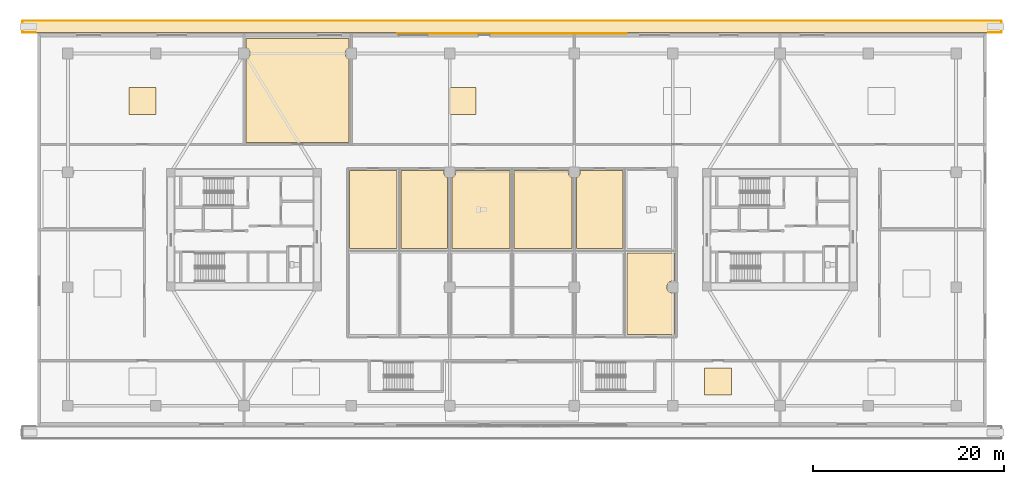
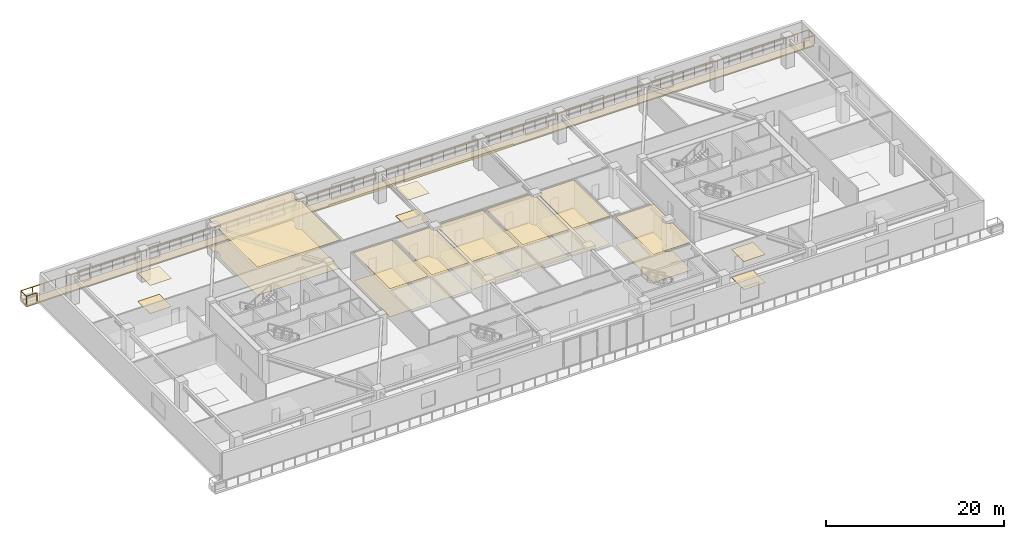
# One storey, part 17 of 22: 22 coverings, 2 railings.
"""IFC4 building model written with IfcOpenShell, lengths in metres."""

from ifc_helpers import new_model, si_unit, direction, frame, origin, origin_2d, place, context, subcontext, project, spatial, polyline, rectangle, outline, extrude, source, transform, mapped, material, layer, layer_set, type_object, type_shapes, element, save


model = new_model("IFC4")

# Units and contexts
model_context = context("Model", 3, precision=1e-05, world=origin(), true_north=direction((0.0, 1.0)))
body_context = subcontext(model_context, "Body", "Model", "MODEL_VIEW")
ifc_project = project(units=[si_unit("LENGTHUNIT", "METRE"), si_unit("AREAUNIT", "SQUARE_METRE"), si_unit("VOLUMEUNIT", "CUBIC_METRE"), si_unit("PLANEANGLEUNIT", "RADIAN"), si_unit("MASSUNIT", "GRAM", prefix="KILO")], contexts=[model_context])

# Site, building, storey
site_placement = place(None, origin())
site = spatial("IfcSite", under=ifc_project, at=site_placement, CompositionType="ELEMENT")
building_placement = place(site_placement, origin())
building = spatial("IfcBuilding", under=site, at=building_placement, Name="Norrkilde Senior Care Towers", CompositionType="ELEMENT")
storey_placement = place(building_placement, frame((0.0, 0.0, 12.60009765625)))
storey = spatial("IfcBuildingStorey", under=building, at=storey_placement, Name="L03", CompositionType="ELEMENT", Elevation=12.60009765625)

# Coverings
ifc_material_1 = material(Name="Nordic Ash Timber", Category="wood")
ifc_layer_1 = layer(ifc_material_1, 0.044921875)
ifc_layer_set_1 = layer_set([ifc_layer_1], Name="Nordic Ash Timber")
covering_type_1 = type_object("IfcCoveringType", Name="Acoustic Ash Timber Slatted Ceiling 45", PredefinedType="CEILING", material=ifc_layer_set_1)
covering_1_placement = place(storey_placement, frame((0.0, 0.0, 3.8349609375)))
element("IfcCovering", 1, at=covering_1_placement, inside=storey, type_object=covering_type_1, Name="L03 Suspended Ceiling 0075", PredefinedType="CEILING", context=body_context, shape_type="SweptSolid", body=[
    extrude(outline(polyline([(-12.02001953125, 6.179931640625), (-12.02001953125, -1.97998046875), (-16.97998046875, -1.97998046875), (-16.97998046875, 6.179931640625), (-12.02001953125, 6.179931640625)])), origin(), (0.0, 0.0, 1.0), 0.044921875),
])
covering_2_placement = place(storey_placement, frame((0.0, 0.0, 3.8349609375)))
element("IfcCovering", 2, at=covering_2_placement, inside=storey, type_object=covering_type_1, Name="L03 Suspended Ceiling 0083", PredefinedType="CEILING", context=body_context, shape_type="SweptSolid", body=[
    extrude(outline(polyline([(11.580078125, -1.97998046875), (6.719970703125, -1.97998046875), (6.719970703125, 5.4150390625), (6.81494140625, 5.454345703125), (6.945556640625, 5.554443359375), (7.045654296875, 5.68505859375), (7.108642578125, 5.8369140625), (7.1298828125, 6.0), (7.108642578125, 6.1630859375), (7.1015625, 6.179931640625), (11.580078125, 6.179931640625), (11.580078125, -1.97998046875)])), origin(), (0.0, 0.0, 1.0), 0.044921875),
])
covering_3_placement = place(storey_placement, frame((0.0, 0.0, 3.8349609375)))
element("IfcCovering", 3, at=covering_3_placement, inside=storey, type_object=covering_type_1, Name="L03 Suspended Ceiling 0084", PredefinedType="CEILING", context=body_context, shape_type="SweptSolid", body=[
    extrude(outline(polyline([(16.97998046875, -5.3984375), (16.963134765625, -5.391357421875), (16.800048828125, -5.3701171875), (16.636962890625, -5.391357421875), (16.485107421875, -5.454345703125), (16.3544921875, -5.554443359375), (16.25439453125, -5.68505859375), (16.19140625, -5.8369140625), (16.169921875, -6.0), (16.19140625, -6.1630859375), (16.25439453125, -6.31494140625), (16.3544921875, -6.445556640625), (16.485107421875, -6.545654296875), (16.636962890625, -6.608642578125), (16.800048828125, -6.6298828125), (16.963134765625, -6.608642578125), (16.97998046875, -6.6015625), (16.97998046875, -10.97998046875), (12.02001953125, -10.97998046875), (12.02001953125, -2.419921875), (16.97998046875, -2.419921875), (16.97998046875, -5.3984375)])), origin(), (0.0, 0.0, 1.0), 0.044921875),
])
covering_4_placement = place(storey_placement, frame((0.0, 0.0, 3.8349609375)))
element("IfcCovering", 4, at=covering_4_placement, inside=storey, type_object=covering_type_1, Name="L03 Suspended Ceiling 0087", PredefinedType="CEILING", context=body_context, shape_type="SweptSolid", body=[
    extrude(outline(polyline([(-27.780029296875, 9.1201171875), (-27.780029296875, 17.81494140625), (-27.68505859375, 17.8544921875), (-27.554443359375, 17.95458984375), (-27.454345703125, 18.0849609375), (-27.391357421875, 18.237060546875), (-27.3701171875, 18.39990234375), (-27.391357421875, 18.56298828125), (-27.454345703125, 18.715087890625), (-27.554443359375, 18.845458984375), (-27.68505859375, 18.945556640625), (-27.780029296875, 18.98486328125), (-27.780029296875, 19.97998046875), (-17.02001953125, 19.97998046875), (-17.02001953125, 18.98486328125), (-17.114990234375, 18.945556640625), (-17.245361328125, 18.845458984375), (-17.345703125, 18.715087890625), (-17.408447265625, 18.56298828125), (-17.429931640625, 18.39990234375), (-17.408447265625, 18.237060546875), (-17.345703125, 18.0849609375), (-17.245361328125, 17.95458984375), (-17.114990234375, 17.8544921875), (-17.02001953125, 17.81494140625), (-17.02001953125, 9.1201171875), (-27.780029296875, 9.1201171875)])), origin(), (0.0, 0.0, 1.0), 0.044921875),
])
covering_5_placement = place(storey_placement, frame((0.0, 0.0, 3.8349609375)))
element("IfcCovering", 5, at=covering_5_placement, inside=storey, type_object=covering_type_1, Name="L03 Suspended Ceiling 0088", PredefinedType="CEILING", context=body_context, shape_type="SweptSolid", body=[
    extrude(outline(polyline([(-6.550048828125, 12.044921875), (-6.550048828125, 14.844970703125), (-3.75, 14.844970703125), (-3.75, 12.044921875), (-6.550048828125, 12.044921875)])), origin(), (0.0, 0.0, 1.0), 0.044921875),
])
covering_6_placement = place(storey_placement, frame((0.0, 0.0, 3.8349609375)))
element("IfcCovering", 6, at=covering_6_placement, inside=storey, type_object=covering_type_1, Name="L03 Suspended Ceiling 0094", PredefinedType="CEILING", context=body_context, shape_type="SweptSolid", body=[
    extrude(outline(polyline([(20.125, -17.2548828125), (20.125, -14.455078125), (22.925048828125, -14.455078125), (22.925048828125, -17.2548828125), (20.125, -17.2548828125)])), origin(), (0.0, 0.0, 1.0), 0.044921875),
])

# Railings
ifc_material_2 = material(Name="Anodised Aluminium", Category="aluminium")
railing_type = type_object("IfcRailingType", Name="Balcony Swirl Ribbon Guardrail 1150", PredefinedType="GUARDRAIL", material=ifc_material_2)
railing_1_placement = place(storey_placement, frame((-51.1201171875, 20.5849609375, 0.0)))
element("IfcRailing", 7, at=railing_1_placement, inside=storey, type_object=railing_type, Name="L03 Perimeter Safety Guard 03", PredefinedType="GUARDRAIL", context=body_context, shape_type="SweptSolid", body=[
    extrude(rectangle(XDim=0.048095703125, YDim=0.048095703125, at=origin_2d()), frame((0.0, 0.0, 1.1259765625), z_axis=(0.0, 1.0, 0.0), x_axis=(-1.0, 0.0, 0.0)), (0.0, 0.0, 1.0), 1.1943359375),
    extrude(rectangle(XDim=0.048095703125, YDim=0.048095703125, at=origin_2d()), frame((0.040771484375, 1.235107421875, 1.1259765625), z_axis=(1.0, 0.0, 0.0), x_axis=(0.0, 1.0, 0.0)), (0.0, 0.0, 1.0), 102.158447265625),
    extrude(rectangle(XDim=0.048095703125, YDim=0.048095703125, at=origin_2d()), frame((102.240234375, 1.1943359375, 1.1259765625), z_axis=(0.0, -1.0, 0.0), x_axis=(1.0, 0.0, 0.0)), (0.0, 0.0, 1.0), 1.1533203125),
    extrude(rectangle(XDim=0.048095703125, YDim=0.048095703125, at=origin_2d()), frame((102.199462890625, 0.0, 1.1259765625), z_axis=(-1.0, 0.0, 0.0), x_axis=(0.0, -1.0, 0.0)), (0.0, 0.0, 1.0), 1.32080078125),
    extrude(rectangle(XDim=0.0419921875, YDim=0.0419921875, at=origin_2d()), origin(), (0.0, 0.0, 1.0), 1.099853515625),
    extrude(rectangle(XDim=0.0419921875, YDim=0.0419921875, at=origin_2d()), frame((0.0, 1.235107421875, 0.0)), (0.0, 0.0, 1.0), 1.099853515625),
    extrude(rectangle(XDim=0.0419921875, YDim=0.0419921875, at=origin_2d()), frame((1.481689453125, 1.235107421875, 0.0)), (0.0, 0.0, 1.0), 1.099853515625),
    extrude(rectangle(XDim=0.0419921875, YDim=0.0419921875, at=origin_2d()), frame((2.96337890625, 1.235107421875, 0.0)), (0.0, 0.0, 1.0), 1.099853515625),
    extrude(rectangle(XDim=0.0419921875, YDim=0.0419921875, at=origin_2d()), frame((4.4453125, 1.235107421875, 0.0)), (0.0, 0.0, 1.0), 1.099853515625),
    extrude(rectangle(XDim=0.0419921875, YDim=0.0419921875, at=origin_2d()), frame((5.927001953125, 1.235107421875, 0.0)), (0.0, 0.0, 1.0), 1.099853515625),
    extrude(rectangle(XDim=0.0419921875, YDim=0.0419921875, at=origin_2d()), frame((7.40869140625, 1.235107421875, 0.0)), (0.0, 0.0, 1.0), 1.099853515625),
    extrude(rectangle(XDim=0.0419921875, YDim=0.0419921875, at=origin_2d()), frame((8.890380859375, 1.235107421875, 0.0)), (0.0, 0.0, 1.0), 1.099853515625),
    extrude(rectangle(XDim=0.0419921875, YDim=0.0419921875, at=origin_2d()), frame((10.372314453125, 1.235107421875, 0.0)), (0.0, 0.0, 1.0), 1.099853515625),
    extrude(rectangle(XDim=0.0419921875, YDim=0.0419921875, at=origin_2d()), frame((11.85400390625, 1.235107421875, 0.0)), (0.0, 0.0, 1.0), 1.099853515625),
    extrude(rectangle(XDim=0.0419921875, YDim=0.0419921875, at=origin_2d()), frame((13.335693359375, 1.235107421875, 0.0)), (0.0, 0.0, 1.0), 1.099853515625),
    extrude(rectangle(XDim=0.0419921875, YDim=0.0419921875, at=origin_2d()), frame((14.8173828125, 1.235107421875, 0.0)), (0.0, 0.0, 1.0), 1.099853515625),
    extrude(rectangle(XDim=0.0419921875, YDim=0.0419921875, at=origin_2d()), frame((16.299072265625, 1.235107421875, 0.0)), (0.0, 0.0, 1.0), 1.099853515625),
    extrude(rectangle(XDim=0.0419921875, YDim=0.0419921875, at=origin_2d()), frame((17.781005859375, 1.235107421875, 0.0)), (0.0, 0.0, 1.0), 1.099853515625),
    extrude(rectangle(XDim=0.0419921875, YDim=0.0419921875, at=origin_2d()), frame((19.2626953125, 1.235107421875, 0.0)), (0.0, 0.0, 1.0), 1.099853515625),
    extrude(rectangle(XDim=0.0419921875, YDim=0.0419921875, at=origin_2d()), frame((20.744384765625, 1.235107421875, 0.0)), (0.0, 0.0, 1.0), 1.099853515625),
    extrude(rectangle(XDim=0.0419921875, YDim=0.0419921875, at=origin_2d()), frame((22.22607421875, 1.235107421875, 0.0)), (0.0, 0.0, 1.0), 1.099853515625),
    extrude(rectangle(XDim=0.0419921875, YDim=0.0419921875, at=origin_2d()), frame((23.707763671875, 1.235107421875, 0.0)), (0.0, 0.0, 1.0), 1.099853515625),
    extrude(rectangle(XDim=0.0419921875, YDim=0.0419921875, at=origin_2d()), frame((25.189697265625, 1.235107421875, 0.0)), (0.0, 0.0, 1.0), 1.099853515625),
    extrude(rectangle(XDim=0.0419921875, YDim=0.0419921875, at=origin_2d()), frame((26.67138671875, 1.235107421875, 0.0)), (0.0, 0.0, 1.0), 1.099853515625),
    extrude(rectangle(XDim=0.0419921875, YDim=0.0419921875, at=origin_2d()), frame((28.153076171875, 1.235107421875, 0.0)), (0.0, 0.0, 1.0), 1.099853515625),
    extrude(rectangle(XDim=0.0419921875, YDim=0.0419921875, at=origin_2d()), frame((29.634765625, 1.235107421875, 0.0)), (0.0, 0.0, 1.0), 1.099853515625),
    extrude(rectangle(XDim=0.0419921875, YDim=0.0419921875, at=origin_2d()), frame((31.11669921875, 1.235107421875, 0.0)), (0.0, 0.0, 1.0), 1.099853515625),
    extrude(rectangle(XDim=0.0419921875, YDim=0.0419921875, at=origin_2d()), frame((32.598388671875, 1.235107421875, 0.0)), (0.0, 0.0, 1.0), 1.099853515625),
    extrude(rectangle(XDim=0.0419921875, YDim=0.0419921875, at=origin_2d()), frame((34.080078125, 1.235107421875, 0.0)), (0.0, 0.0, 1.0), 1.099853515625),
    extrude(rectangle(XDim=0.0419921875, YDim=0.0419921875, at=origin_2d()), frame((35.561767578125, 1.235107421875, 0.0)), (0.0, 0.0, 1.0), 1.099853515625),
    extrude(rectangle(XDim=0.0419921875, YDim=0.0419921875, at=origin_2d()), frame((37.04345703125, 1.235107421875, 0.0)), (0.0, 0.0, 1.0), 1.099853515625),
    extrude(rectangle(XDim=0.0419921875, YDim=0.0419921875, at=origin_2d()), frame((38.525390625, 1.235107421875, 0.0)), (0.0, 0.0, 1.0), 1.099853515625),
    extrude(rectangle(XDim=0.0419921875, YDim=0.0419921875, at=origin_2d()), frame((40.007080078125, 1.235107421875, 0.0)), (0.0, 0.0, 1.0), 1.099853515625),
    extrude(rectangle(XDim=0.0419921875, YDim=0.0419921875, at=origin_2d()), frame((41.48876953125, 1.235107421875, 0.0)), (0.0, 0.0, 1.0), 1.099853515625),
    extrude(rectangle(XDim=0.0419921875, YDim=0.0419921875, at=origin_2d()), frame((42.970458984375, 1.235107421875, 0.0)), (0.0, 0.0, 1.0), 1.099853515625),
    extrude(rectangle(XDim=0.0419921875, YDim=0.0419921875, at=origin_2d()), frame((44.452392578125, 1.235107421875, 0.0)), (0.0, 0.0, 1.0), 1.099853515625),
    extrude(rectangle(XDim=0.0419921875, YDim=0.0419921875, at=origin_2d()), frame((45.93408203125, 1.235107421875, 0.0)), (0.0, 0.0, 1.0), 1.099853515625),
    extrude(rectangle(XDim=0.0419921875, YDim=0.0419921875, at=origin_2d()), frame((47.415771484375, 1.235107421875, 0.0)), (0.0, 0.0, 1.0), 1.099853515625),
    extrude(rectangle(XDim=0.0419921875, YDim=0.0419921875, at=origin_2d()), frame((48.8974609375, 1.235107421875, 0.0)), (0.0, 0.0, 1.0), 1.099853515625),
    extrude(rectangle(XDim=0.0419921875, YDim=0.0419921875, at=origin_2d()), frame((50.379150390625, 1.235107421875, 0.0)), (0.0, 0.0, 1.0), 1.099853515625),
    extrude(rectangle(XDim=0.0419921875, YDim=0.0419921875, at=origin_2d()), frame((51.861083984375, 1.235107421875, 0.0)), (0.0, 0.0, 1.0), 1.099853515625),
    extrude(rectangle(XDim=0.0419921875, YDim=0.0419921875, at=origin_2d()), frame((53.3427734375, 1.235107421875, 0.0)), (0.0, 0.0, 1.0), 1.099853515625),
    extrude(rectangle(XDim=0.0419921875, YDim=0.0419921875, at=origin_2d()), frame((54.824462890625, 1.235107421875, 0.0)), (0.0, 0.0, 1.0), 1.099853515625),
    extrude(rectangle(XDim=0.0419921875, YDim=0.0419921875, at=origin_2d()), frame((56.30615234375, 1.235107421875, 0.0)), (0.0, 0.0, 1.0), 1.099853515625),
    extrude(rectangle(XDim=0.0419921875, YDim=0.0419921875, at=origin_2d()), frame((57.787841796875, 1.235107421875, 0.0)), (0.0, 0.0, 1.0), 1.099853515625),
    extrude(rectangle(XDim=0.0419921875, YDim=0.0419921875, at=origin_2d()), frame((59.269775390625, 1.235107421875, 0.0)), (0.0, 0.0, 1.0), 1.099853515625),
    extrude(rectangle(XDim=0.0419921875, YDim=0.0419921875, at=origin_2d()), frame((60.75146484375, 1.235107421875, 0.0)), (0.0, 0.0, 1.0), 1.099853515625),
    extrude(rectangle(XDim=0.0419921875, YDim=0.0419921875, at=origin_2d()), frame((62.233154296875, 1.235107421875, 0.0)), (0.0, 0.0, 1.0), 1.099853515625),
    extrude(rectangle(XDim=0.0419921875, YDim=0.0419921875, at=origin_2d()), frame((63.71484375, 1.235107421875, 0.0)), (0.0, 0.0, 1.0), 1.099853515625),
    extrude(rectangle(XDim=0.0419921875, YDim=0.0419921875, at=origin_2d()), frame((65.19677734375, 1.235107421875, 0.0)), (0.0, 0.0, 1.0), 1.099853515625),
    extrude(rectangle(XDim=0.0419921875, YDim=0.0419921875, at=origin_2d()), frame((66.678466796875, 1.235107421875, 0.0)), (0.0, 0.0, 1.0), 1.099853515625),
    extrude(rectangle(XDim=0.0419921875, YDim=0.0419921875, at=origin_2d()), frame((68.16015625, 1.235107421875, 0.0)), (0.0, 0.0, 1.0), 1.099853515625),
    extrude(rectangle(XDim=0.0419921875, YDim=0.0419921875, at=origin_2d()), frame((69.641845703125, 1.235107421875, 0.0)), (0.0, 0.0, 1.0), 1.099853515625),
    extrude(rectangle(XDim=0.0419921875, YDim=0.0419921875, at=origin_2d()), frame((71.12353515625, 1.235107421875, 0.0)), (0.0, 0.0, 1.0), 1.099853515625),
    extrude(rectangle(XDim=0.0419921875, YDim=0.0419921875, at=origin_2d()), frame((72.60546875, 1.235107421875, 0.0)), (0.0, 0.0, 1.0), 1.099853515625),
    extrude(rectangle(XDim=0.0419921875, YDim=0.0419921875, at=origin_2d()), frame((74.087158203125, 1.235107421875, 0.0)), (0.0, 0.0, 1.0), 1.099853515625),
    extrude(rectangle(XDim=0.0419921875, YDim=0.0419921875, at=origin_2d()), frame((75.56884765625, 1.235107421875, 0.0)), (0.0, 0.0, 1.0), 1.099853515625),
    extrude(rectangle(XDim=0.0419921875, YDim=0.0419921875, at=origin_2d()), frame((77.050537109375, 1.235107421875, 0.0)), (0.0, 0.0, 1.0), 1.099853515625),
    extrude(rectangle(XDim=0.0419921875, YDim=0.0419921875, at=origin_2d()), frame((78.532470703125, 1.235107421875, 0.0)), (0.0, 0.0, 1.0), 1.099853515625),
    extrude(rectangle(XDim=0.0419921875, YDim=0.0419921875, at=origin_2d()), frame((80.01416015625, 1.235107421875, 0.0)), (0.0, 0.0, 1.0), 1.099853515625),
    extrude(rectangle(XDim=0.0419921875, YDim=0.0419921875, at=origin_2d()), frame((81.495849609375, 1.235107421875, 0.0)), (0.0, 0.0, 1.0), 1.099853515625),
    extrude(rectangle(XDim=0.0419921875, YDim=0.0419921875, at=origin_2d()), frame((82.9775390625, 1.235107421875, 0.0)), (0.0, 0.0, 1.0), 1.099853515625),
    extrude(rectangle(XDim=0.0419921875, YDim=0.0419921875, at=origin_2d()), frame((84.459228515625, 1.235107421875, 0.0)), (0.0, 0.0, 1.0), 1.099853515625),
    extrude(rectangle(XDim=0.0419921875, YDim=0.0419921875, at=origin_2d()), frame((85.941162109375, 1.235107421875, 0.0)), (0.0, 0.0, 1.0), 1.099853515625),
    extrude(rectangle(XDim=0.0419921875, YDim=0.0419921875, at=origin_2d()), frame((87.4228515625, 1.235107421875, 0.0)), (0.0, 0.0, 1.0), 1.099853515625),
    extrude(rectangle(XDim=0.0419921875, YDim=0.0419921875, at=origin_2d()), frame((88.904541015625, 1.235107421875, 0.0)), (0.0, 0.0, 1.0), 1.099853515625),
    extrude(rectangle(XDim=0.0419921875, YDim=0.0419921875, at=origin_2d()), frame((90.38623046875, 1.235107421875, 0.0)), (0.0, 0.0, 1.0), 1.099853515625),
    extrude(rectangle(XDim=0.0419921875, YDim=0.0419921875, at=origin_2d()), frame((91.867919921875, 1.235107421875, 0.0)), (0.0, 0.0, 1.0), 1.099853515625),
    extrude(rectangle(XDim=0.0419921875, YDim=0.0419921875, at=origin_2d()), frame((93.349853515625, 1.235107421875, 0.0)), (0.0, 0.0, 1.0), 1.099853515625),
    extrude(rectangle(XDim=0.0419921875, YDim=0.0419921875, at=origin_2d()), frame((94.83154296875, 1.235107421875, 0.0)), (0.0, 0.0, 1.0), 1.099853515625),
    extrude(rectangle(XDim=0.0419921875, YDim=0.0419921875, at=origin_2d()), frame((96.313232421875, 1.235107421875, 0.0)), (0.0, 0.0, 1.0), 1.099853515625),
    extrude(rectangle(XDim=0.0419921875, YDim=0.0419921875, at=origin_2d()), frame((97.794921875, 1.235107421875, 0.0)), (0.0, 0.0, 1.0), 1.099853515625),
    extrude(rectangle(XDim=0.0419921875, YDim=0.0419921875, at=origin_2d()), frame((99.27685546875, 1.235107421875, 0.0)), (0.0, 0.0, 1.0), 1.099853515625),
    extrude(rectangle(XDim=0.0419921875, YDim=0.0419921875, at=origin_2d()), frame((100.758544921875, 1.235107421875, 0.0)), (0.0, 0.0, 1.0), 1.099853515625),
    extrude(rectangle(XDim=0.0419921875, YDim=0.0419921875, at=origin_2d()), frame((102.240234375, 1.235107421875, 0.0)), (0.0, 0.0, 1.0), 1.099853515625),
    extrude(rectangle(XDim=0.0419921875, YDim=0.0419921875, at=origin_2d()), frame((102.240234375, 0.0, 0.0)), (0.0, 0.0, 1.0), 1.099853515625),
    extrude(rectangle(XDim=0.0419921875, YDim=0.0419921875, at=origin_2d()), frame((100.878662109375, 0.0, 0.0)), (0.0, 0.0, 1.0), 1.099853515625),
])
railing_2_placement = place(storey_placement, frame((-49.758544921875, 20.5849609375, 0.0)))
element("IfcRailing", 8, at=railing_2_placement, inside=storey, type_object=railing_type, Name="L03 Perimeter Safety Guard 04", PredefinedType="GUARDRAIL", context=body_context, shape_type="SweptSolid", body=[
    extrude(rectangle(XDim=0.048095703125, YDim=0.048095703125, at=origin_2d()), frame((0.0, 0.0, 1.1259765625), z_axis=(-1.0, 0.0, 0.0), x_axis=(0.0, -1.0, 0.0)), (0.0, 0.0, 1.0), 1.361572265625),
    extrude(rectangle(XDim=0.0419921875, YDim=0.0419921875, at=origin_2d()), origin(), (0.0, 0.0, 1.0), 1.099853515625),
    extrude(rectangle(XDim=0.0419921875, YDim=0.0419921875, at=origin_2d()), frame((-1.361572265625, 0.0, 0.0)), (0.0, 0.0, 1.0), 1.099853515625),
])

# Coverings
ifc_material_3 = material(Name="EPDM Waterproofing and PIR Insulation")
ifc_layer_2 = layer(ifc_material_3, 0.159912109375)
ifc_layer_set_2 = layer_set([ifc_layer_2], Name="EPDM Waterproofing and PIR Insulation")
covering_type_2 = type_object("IfcCoveringType", Name="Insulated EPDM Roof Membrane 160", PredefinedType="ROOFING", material=ifc_layer_set_2)
covering_7_placement = place(storey_placement, frame((0.0, 0.0, -0.39013671875)))
element("IfcCovering", 9, at=covering_7_placement, inside=storey, type_object=covering_type_2, Name="L03 N Terrace Waterproof Membrane", PredefinedType="ROOFING", context=body_context, shape_type="SweptSolid", body=[
    extrude(outline(polyline([(-51.10009765625, 20.60498046875), (51.10009765625, 20.60498046875), (51.10009765625, 21.800048828125), (-51.10009765625, 21.800048828125), (-51.10009765625, 20.60498046875)])), origin(), (0.0, 0.0, 1.0), 0.16015625),
])
ifc_material_4 = material(Name="Gypsum Acoustic Board")
ifc_layer_3 = layer(ifc_material_4, 0.030029296875)
ifc_layer_set_3 = layer_set([ifc_layer_3], Name="Gypsum Acoustic Board")
covering_type_3 = type_object("IfcCoveringType", Name="Medical Cleanable Gypsum Ceiling 30", PredefinedType="CEILING", material=ifc_layer_set_3)
covering_8_placement = place(storey_placement, frame((0.0, 0.0, 3.849853515625)))
element("IfcCovering", 10, at=covering_8_placement, inside=storey, type_object=covering_type_3, Name="L03 Suspended Ceiling 0077", PredefinedType="CEILING", context=body_context, shape_type="SweptSolid", body=[
    extrude(outline(polyline([(-6.719970703125, -1.97998046875), (-11.580078125, -1.97998046875), (-11.580078125, 6.179931640625), (-7.1015625, 6.179931640625), (-7.108642578125, 6.1630859375), (-7.1298828125, 6.0), (-7.108642578125, 5.8369140625), (-7.045654296875, 5.68505859375), (-6.945556640625, 5.554443359375), (-6.81494140625, 5.454345703125), (-6.719970703125, 5.4150390625), (-6.719970703125, -1.97998046875)])), origin(), (0.0, 0.0, 1.0), 0.030029296875),
])
covering_9_placement = place(storey_placement, frame((0.0, 0.0, 3.849853515625)))
element("IfcCovering", 11, at=covering_9_placement, inside=storey, type_object=covering_type_3, Name="L03 Suspended Ceiling 0079", PredefinedType="CEILING", context=body_context, shape_type="SweptSolid", body=[
    extrude(outline(polyline([(-0.219970703125, -1.97998046875), (-6.280029296875, -1.97998046875), (-6.280029296875, 5.4150390625), (-6.18505859375, 5.454345703125), (-6.054443359375, 5.554443359375), (-5.954345703125, 5.68505859375), (-5.891357421875, 5.8369140625), (-5.8701171875, 6.0), (-5.891357421875, 6.1630859375), (-5.8984375, 6.179931640625), (-0.219970703125, 6.179931640625), (-0.219970703125, -1.97998046875)])), origin(), (0.0, 0.0, 1.0), 0.030029296875),
])
covering_10_placement = place(storey_placement, frame((0.0, 0.0, 3.849853515625)))
element("IfcCovering", 12, at=covering_10_placement, inside=storey, type_object=covering_type_3, Name="L03 Suspended Ceiling 0081", PredefinedType="CEILING", context=body_context, shape_type="SweptSolid", body=[
    extrude(outline(polyline([(6.280029296875, -1.97998046875), (0.219970703125, -1.97998046875), (0.219970703125, 6.179931640625), (5.8984375, 6.179931640625), (5.891357421875, 6.1630859375), (5.8701171875, 6.0), (5.891357421875, 5.8369140625), (5.954345703125, 5.68505859375), (6.054443359375, 5.554443359375), (6.18505859375, 5.454345703125), (6.280029296875, 5.4150390625), (6.280029296875, -1.97998046875)])), origin(), (0.0, 0.0, 1.0), 0.030029296875),
])
covering_11_placement = place(storey_placement, frame((0.0, 0.0, 3.849853515625)))
element("IfcCovering", 13, at=covering_11_placement, inside=storey, type_object=covering_type_3, Name="L03 Suspended Ceiling 0086", PredefinedType="CEILING", context=body_context, shape_type="SweptSolid", body=[
    extrude(outline(polyline([(-40.0, 12.044921875), (-40.0, 14.844970703125), (-37.199951171875, 14.844970703125), (-37.199951171875, 12.044921875), (-40.0, 12.044921875)])), origin(), (0.0, 0.0, 1.0), 0.030029296875),
])
ifc_material_5 = material(Name="Slip-Resistant Porcelain Stone", Category="masonry")
ifc_layer_4 = layer(ifc_material_5, 0.02490234375)
ifc_layer_set_4 = layer_set([ifc_layer_4], Name="Slip-Resistant Porcelain Stone")
covering_type_4 = type_object("IfcCoveringType", Name="Slip-Resistant Porcelain Flooring 25", PredefinedType="FLOORING", material=ifc_layer_set_4)
covering_12_placement = place(storey_placement, origin())
element("IfcCovering", 14, at=covering_12_placement, inside=storey, type_object=covering_type_4, Name="L03 Floor Finish 0075", PredefinedType="FLOORING", context=body_context, shape_type="SweptSolid", body=[
    extrude(outline(polyline([(-12.02001953125, 6.179931640625), (-12.02001953125, -1.97998046875), (-16.97998046875, -1.97998046875), (-16.97998046875, 6.179931640625), (-12.02001953125, 6.179931640625)])), origin(), (0.0, 0.0, 1.0), 0.02490234375),
])
covering_13_placement = place(storey_placement, origin())
element("IfcCovering", 15, at=covering_13_placement, inside=storey, type_object=covering_type_4, Name="L03 Floor Finish 0077", PredefinedType="FLOORING", context=body_context, shape_type="SweptSolid", body=[
    extrude(outline(polyline([(-6.719970703125, -1.97998046875), (-11.580078125, -1.97998046875), (-11.580078125, 6.179931640625), (-7.1015625, 6.179931640625), (-7.108642578125, 6.1630859375), (-7.1298828125, 6.0), (-7.108642578125, 5.8369140625), (-7.045654296875, 5.68505859375), (-6.945556640625, 5.554443359375), (-6.81494140625, 5.454345703125), (-6.719970703125, 5.4150390625), (-6.719970703125, -1.97998046875)])), origin(), (0.0, 0.0, 1.0), 0.02490234375),
])
covering_14_placement = place(storey_placement, origin())
element("IfcCovering", 16, at=covering_14_placement, inside=storey, type_object=covering_type_4, Name="L03 Floor Finish 0079", PredefinedType="FLOORING", context=body_context, shape_type="SweptSolid", body=[
    extrude(outline(polyline([(-0.219970703125, -1.97998046875), (-6.280029296875, -1.97998046875), (-6.280029296875, 5.4150390625), (-6.18505859375, 5.454345703125), (-6.054443359375, 5.554443359375), (-5.954345703125, 5.68505859375), (-5.891357421875, 5.8369140625), (-5.8701171875, 6.0), (-5.891357421875, 6.1630859375), (-5.8984375, 6.179931640625), (-0.219970703125, 6.179931640625), (-0.219970703125, -1.97998046875)])), origin(), (0.0, 0.0, 1.0), 0.02490234375),
])
covering_15_placement = place(storey_placement, origin())
element("IfcCovering", 17, at=covering_15_placement, inside=storey, type_object=covering_type_4, Name="L03 Floor Finish 0081", PredefinedType="FLOORING", context=body_context, shape_type="SweptSolid", body=[
    extrude(outline(polyline([(6.280029296875, -1.97998046875), (0.219970703125, -1.97998046875), (0.219970703125, 6.179931640625), (5.8984375, 6.179931640625), (5.891357421875, 6.1630859375), (5.8701171875, 6.0), (5.891357421875, 5.8369140625), (5.954345703125, 5.68505859375), (6.054443359375, 5.554443359375), (6.18505859375, 5.454345703125), (6.280029296875, 5.4150390625), (6.280029296875, -1.97998046875)])), origin(), (0.0, 0.0, 1.0), 0.02490234375),
])
covering_16_placement = place(storey_placement, origin())
element("IfcCovering", 18, at=covering_16_placement, inside=storey, type_object=covering_type_4, Name="L03 Floor Finish 0083", PredefinedType="FLOORING", context=body_context, shape_type="SweptSolid", body=[
    extrude(outline(polyline([(11.580078125, -1.97998046875), (6.719970703125, -1.97998046875), (6.719970703125, 5.4150390625), (6.81494140625, 5.454345703125), (6.945556640625, 5.554443359375), (7.045654296875, 5.68505859375), (7.108642578125, 5.8369140625), (7.1298828125, 6.0), (7.108642578125, 6.1630859375), (7.1015625, 6.179931640625), (11.580078125, 6.179931640625), (11.580078125, -1.97998046875)])), origin(), (0.0, 0.0, 1.0), 0.02490234375),
])
covering_17_placement = place(storey_placement, origin())
element("IfcCovering", 19, at=covering_17_placement, inside=storey, type_object=covering_type_4, Name="L03 Floor Finish 0084", PredefinedType="FLOORING", context=body_context, shape_type="SweptSolid", body=[
    extrude(outline(polyline([(16.97998046875, -5.3984375), (16.963134765625, -5.391357421875), (16.800048828125, -5.3701171875), (16.636962890625, -5.391357421875), (16.485107421875, -5.454345703125), (16.3544921875, -5.554443359375), (16.25439453125, -5.68505859375), (16.19140625, -5.8369140625), (16.169921875, -6.0), (16.19140625, -6.1630859375), (16.25439453125, -6.31494140625), (16.3544921875, -6.445556640625), (16.485107421875, -6.545654296875), (16.636962890625, -6.608642578125), (16.800048828125, -6.6298828125), (16.963134765625, -6.608642578125), (16.97998046875, -6.6015625), (16.97998046875, -10.97998046875), (12.02001953125, -10.97998046875), (12.02001953125, -2.419921875), (16.97998046875, -2.419921875), (16.97998046875, -5.3984375)])), origin(), (0.0, 0.0, 1.0), 0.02490234375),
])
covering_18_placement = place(storey_placement, origin())
element("IfcCovering", 20, at=covering_18_placement, inside=storey, type_object=covering_type_4, Name="L03 Floor Finish 0086", PredefinedType="FLOORING", context=body_context, shape_type="SweptSolid", body=[
    extrude(outline(polyline([(-40.0, 12.044921875), (-40.0, 14.844970703125), (-37.199951171875, 14.844970703125), (-37.199951171875, 12.044921875), (-40.0, 12.044921875)])), origin(), (0.0, 0.0, 1.0), 0.02490234375),
])
covering_19_placement = place(storey_placement, origin())
element("IfcCovering", 21, at=covering_19_placement, inside=storey, type_object=covering_type_4, Name="L03 Floor Finish 0087", PredefinedType="FLOORING", context=body_context, shape_type="SweptSolid", body=[
    extrude(outline(polyline([(-27.780029296875, 9.1201171875), (-27.780029296875, 17.81494140625), (-27.68505859375, 17.8544921875), (-27.554443359375, 17.95458984375), (-27.454345703125, 18.0849609375), (-27.391357421875, 18.237060546875), (-27.3701171875, 18.39990234375), (-27.391357421875, 18.56298828125), (-27.454345703125, 18.715087890625), (-27.554443359375, 18.845458984375), (-27.68505859375, 18.945556640625), (-27.780029296875, 18.98486328125), (-27.780029296875, 19.97998046875), (-17.02001953125, 19.97998046875), (-17.02001953125, 18.98486328125), (-17.114990234375, 18.945556640625), (-17.245361328125, 18.845458984375), (-17.345703125, 18.715087890625), (-17.408447265625, 18.56298828125), (-17.429931640625, 18.39990234375), (-17.408447265625, 18.237060546875), (-17.345703125, 18.0849609375), (-17.245361328125, 17.95458984375), (-17.114990234375, 17.8544921875), (-17.02001953125, 17.81494140625), (-17.02001953125, 9.1201171875), (-27.780029296875, 9.1201171875)])), origin(), (0.0, 0.0, 1.0), 0.02490234375),
])
covering_20_placement = place(storey_placement, origin())
element("IfcCovering", 22, at=covering_20_placement, inside=storey, type_object=covering_type_4, Name="L03 Floor Finish 0088", PredefinedType="FLOORING", context=body_context, shape_type="SweptSolid", body=[
    extrude(outline(polyline([(-6.550048828125, 12.044921875), (-6.550048828125, 14.844970703125), (-3.75, 14.844970703125), (-3.75, 12.044921875), (-6.550048828125, 12.044921875)])), origin(), (0.0, 0.0, 1.0), 0.02490234375),
])
covering_21_placement = place(storey_placement, origin())
element("IfcCovering", 23, at=covering_21_placement, inside=storey, type_object=covering_type_4, Name="L03 Floor Finish 0094", PredefinedType="FLOORING", context=body_context, shape_type="SweptSolid", body=[
    extrude(outline(polyline([(20.125, -17.2548828125), (20.125, -14.455078125), (22.925048828125, -14.455078125), (22.925048828125, -17.2548828125), (20.125, -17.2548828125)])), origin(), (0.0, 0.0, 1.0), 0.02490234375),
])
ifc_material_6 = material(Name="Architectural Terracotta", Category="masonry")
ifc_layer_5 = layer(ifc_material_6, 0.0400390625)
ifc_layer_set_5 = layer_set([ifc_layer_5], Name="Architectural Terracotta")
covering_type_5 = type_object("IfcCoveringType", Name="Glazed Terracotta Spandrel Cladding 40", PredefinedType="CLADDING", material=ifc_layer_set_5)
shared_shape = source(origin(), body_context, "Body", "SweptSolid", [
    extrude(rectangle(XDim=24.0, YDim=0.0400390625, at=origin_2d()), origin(), (0.0, 0.0, 1.0), 0.320068359375),
])
type_shapes(covering_type_5, [shared_shape])
covering_22_placement = place(storey_placement, frame((0.0, 20.47998046875, -0.3203125), z_axis=(0.0, 0.0, 1.0), x_axis=(1.0, 0.0, 0.0)))
element("IfcCovering", 24, at=covering_22_placement, inside=storey, type_object=covering_type_5, Name="L03 N Terracotta Spandrel Band", PredefinedType="CLADDING", context=body_context, shape_type="MappedRepresentation", body=[
    mapped(shared_shape, transform((0.0, 0.0, 0.0), x_axis=(1.0, 0.0, 0.0), y_axis=(0.0, 1.0, 0.0), z_axis=(0.0, 0.0, 1.0), scale=1.0)),
])

save(model, "model.ifc")
